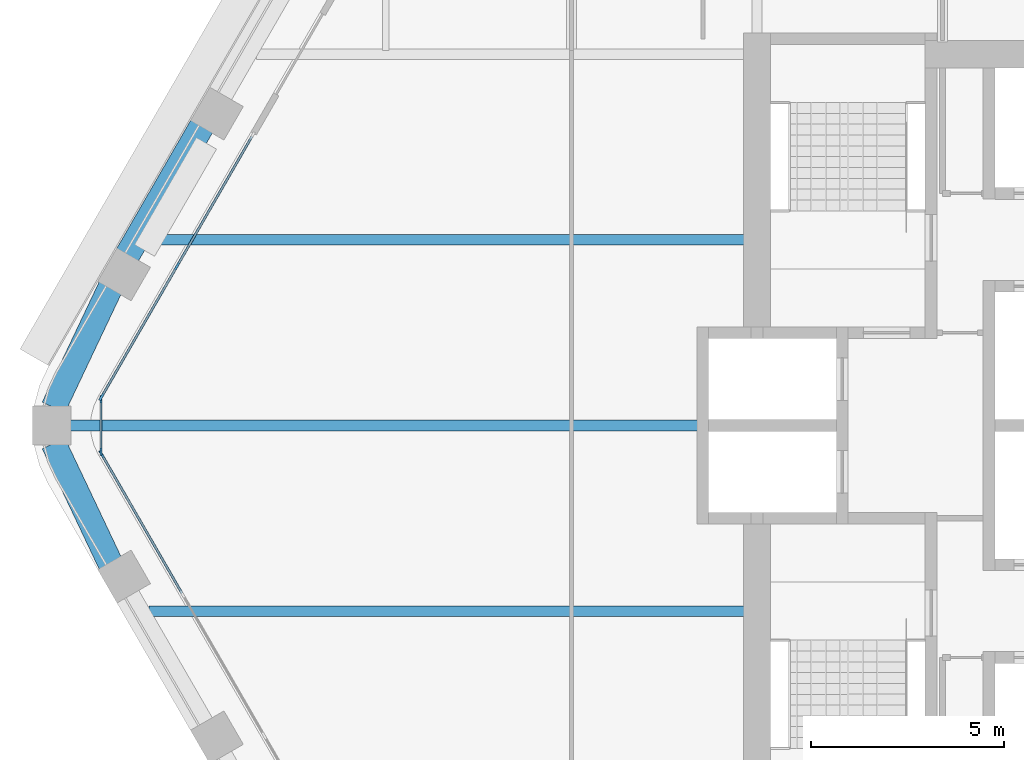
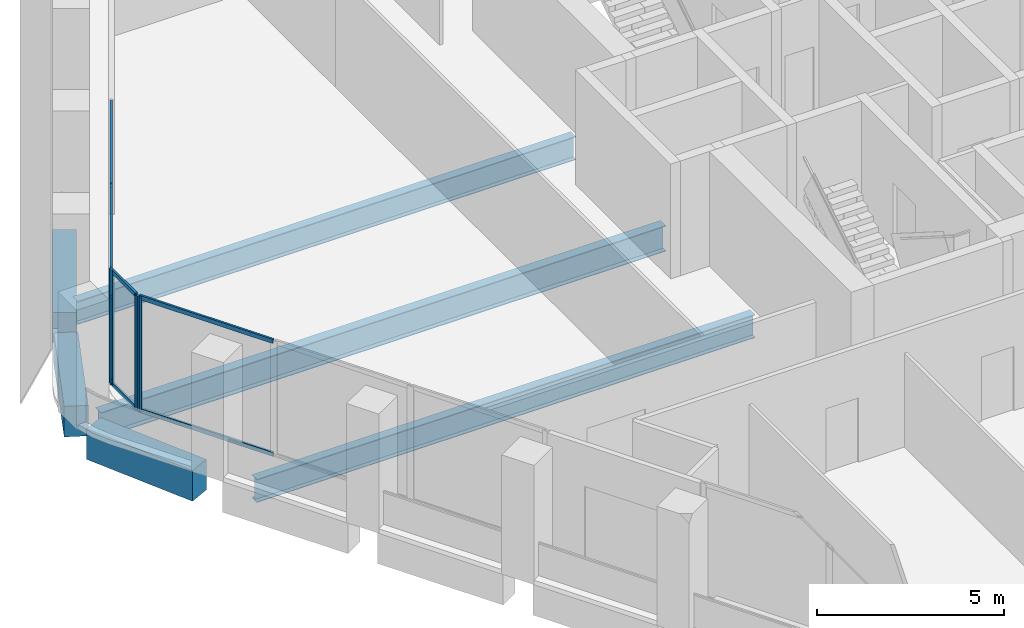
# One storey, part 3 of 15: 13 members, 6 beams, 3 elements without a shape of their own.
"""IFC4 building model written with IfcOpenShell, lengths in metres."""

from ifc_helpers import new_model, si_unit, direction, frame, origin, origin_2d, place, context, subcontext, project, spatial, rectangle, i_section, extrude, material, material_profile, profile_set, type_object, element, aggregate, save


model = new_model("IFC4")

# Units and contexts
model_context = context("Model", 3, precision=1e-05, world=origin(), true_north=direction((0.0, 1.0)))
body_context = subcontext(model_context, "Body", "Model", "MODEL_VIEW")
ifc_project = project(units=[si_unit("LENGTHUNIT", "METRE"), si_unit("AREAUNIT", "SQUARE_METRE"), si_unit("VOLUMEUNIT", "CUBIC_METRE"), si_unit("PLANEANGLEUNIT", "RADIAN"), si_unit("MASSUNIT", "GRAM", prefix="KILO")], contexts=[model_context])

# Site, building, storey
site_placement = place(None, origin())
site = spatial("IfcSite", under=ifc_project, at=site_placement, CompositionType="ELEMENT")
building_placement = place(site_placement, origin())
building = spatial("IfcBuilding", under=site, at=building_placement, Name="Kolab Exchange Tower", CompositionType="ELEMENT")
storey_placement = place(building_placement, frame((0.0, 0.0, 185.60009765625)))
storey = spatial("IfcBuildingStorey", under=building, at=storey_placement, Name="L39", CompositionType="ELEMENT", Elevation=185.60009765625)

# Beams
ifc_material_1 = material(Name="Steel S355", Category="steel")
ifc_material_profile_1 = material_profile(ifc_material_1, i_section(OverallWidth=0.26708984375, OverallDepth=0.761962890625, WebThickness=0.014404296875, FlangeThickness=0.021484375, at=origin_2d()), Name="W760X173")
ifc_profile_set_1 = profile_set([ifc_material_profile_1], Name="Steel S355")
beam_type_1 = type_object("IfcBeamType", Name="FLOOR BEAM W760X173", PredefinedType="BEAM", material=ifc_profile_set_1)
for number, where, z_axis, x_axis, name in (
    (1, (-25.318115234375, -4.800048828125, -0.531005859375), (1.0, 0.0, 0.0), (0.0, 1.0, 0.0), "beam/L39/fr/001"),
    (2, (-25.318115234375, 4.800048828125, -0.531005859375), (1.0, 0.0, 0.0), (0.0, 1.0, 0.0), "beam/L39/fr/002"),
):
    element("IfcBeam", number, at=place(storey_placement, frame(where, z_axis=z_axis, x_axis=x_axis)), inside=storey, type_object=beam_type_1, Name=name, PredefinedType="BEAM", context=body_context, shape_type="SweptSolid", body=[
        extrude(i_section(OverallWidth=0.26708984375, OverallDepth=0.761962890625, WebThickness=0.014404296875, FlangeThickness=0.021484375, at=origin_2d()), origin(), (0.0, 0.0, 1.0), 15.408203125),
    ])
ifc_material_profile_2 = material_profile(ifc_material_1, i_section(OverallWidth=0.2919921875, OverallDepth=0.840087890625, WebThickness=0.0146484375, FlangeThickness=0.021728515625, at=origin_2d()), Name="W840X193")
ifc_profile_set_2 = profile_set([ifc_material_profile_2], Name="Steel S355")
beam_type_2 = type_object("IfcBeamType", Name="FLOOR BEAM W840X193", PredefinedType="BEAM", material=ifc_profile_set_2)
beam_1_placement = place(storey_placement, frame((-27.3759765625, 0.0, -0.570068359375), z_axis=(1.0, 0.0, 0.0), x_axis=(0.0, 1.0, 0.0)))
element("IfcBeam", 3, at=beam_1_placement, inside=storey, type_object=beam_type_2, Name="beam/L39/fr/000", PredefinedType="BEAM", context=body_context, shape_type="SweptSolid", body=[
    extrude(i_section(OverallWidth=0.2919921875, OverallDepth=0.840087890625, WebThickness=0.0146484375, FlangeThickness=0.021728515625, at=origin_2d()), origin(), (0.0, 0.0, 1.0), 17.466064453125),
])
ifc_material_2 = material(Name="Concrete C60/75", Category="concrete")
ifc_material_profile_3 = material_profile(ifc_material_2, rectangle(XDim=0.64990234375, YDim=1.0, at=origin_2d()), Name="RC650X1000")
ifc_profile_set_3 = profile_set([ifc_material_profile_3], Name="Concrete C60/75")
beam_type_3 = type_object("IfcBeamType", Name="SPANDREL BEAM 650X1000 C60/75", PredefinedType="BEAM", material=ifc_profile_set_3)
for number, where, z_axis, x_axis, name in (
    (4, (-26.316162109375, -3.5771484375, -0.650146484375), (-0.428177731975, 0.903694544545, 0.0), (-0.903694544545, -0.428177731975, 0.0), "beam/L39/sp/F5-06"),
    (5, (-27.791259765625, 0.4638671875, -0.650146484375), (0.428177731975, 0.903694544545, 0.0), (-0.903694544545, 0.428177731975, 0.0), "beam/L39/sp/F6-01"),
):
    element("IfcBeam", number, at=place(storey_placement, frame(where, z_axis=z_axis, x_axis=x_axis)), inside=storey, type_object=beam_type_3, Name=name, PredefinedType="BEAM", context=body_context, shape_type="SweptSolid", body=[
        extrude(rectangle(XDim=0.64990234375, YDim=1.0, at=origin_2d()), origin(), (0.0, 0.0, 1.0), 3.445068359375),
    ])
beam_2_placement = place(storey_placement, frame((-25.888427734375, 4.392822265625, -0.650146484375), z_axis=(0.499996613652, 0.866027358884, 0.0), x_axis=(-0.866027358884, 0.499996613652, 0.0)))
element("IfcBeam", 6, at=beam_2_placement, inside=storey, type_object=beam_type_3, Name="beam/L39/sp/F6-02", PredefinedType="BEAM", context=body_context, shape_type="SweptSolid", body=[
    extrude(rectangle(XDim=0.64990234375, YDim=1.0, at=origin_2d()), origin(), (0.0, 0.0, 1.0), 3.8798828125),
])

# Curtain wall, member
ifc_material_3 = material(Name="Aluminium EN AW-6063 T6", Category="aluminium")
curtain_wall_type = type_object("IfcCurtainWallType", Name="UNITISED UPPER MID ZONE CURTAIN WALL", PredefinedType="NOTDEFINED", material=ifc_material_3)
curtain_wall_1_placement = place(storey_placement, origin())
curtain_wall_1 = element("IfcCurtainWall", 7, at=curtain_wall_1_placement, inside=storey, type_object=curtain_wall_type, Name="cw/L39/F5-2", PredefinedType="NOTDEFINED")
ifc_material_profile_4 = material_profile(ifc_material_3, rectangle(XDim=0.06005859375, YDim=0.199951171875, at=origin_2d()), Name="RECT 60X200")
ifc_profile_set_4 = profile_set([ifc_material_profile_4], Name="Aluminium EN AW-6063 T6")
member_type_1 = type_object("IfcMemberType", Name="UNITISED UPPER MID ZONE MULLION 60 X 200", PredefinedType="MULLION", material=ifc_profile_set_4)
member_1_placement = place(storey_placement, frame((-26.550537109375, -0.736083984375, 0.0), z_axis=(0.0, 0.0, 1.0), x_axis=(-0.866025427826, -0.499999958358, 0.0)))
member_1 = element("IfcMember", 8, at=member_1_placement, type_object=member_type_1, Name="CW3 mullion 4", PredefinedType="MULLION", context=body_context, shape_type="SweptSolid", body=[
    extrude(rectangle(XDim=0.06005859375, YDim=0.199951171875, at=origin_2d()), origin(), (0.0, 0.0, 1.0), 3.75),
])

# Curtain wall, members
curtain_wall_2_placement = place(storey_placement, origin())
curtain_wall_2 = element("IfcCurtainWall", 9, at=curtain_wall_2_placement, inside=storey, type_object=curtain_wall_type, Name="cw/L39/F6-1", PredefinedType="NOTDEFINED")
member_2_placement = place(storey_placement, frame((-26.550537109375, 0.736083984375, 0.0), z_axis=(0.0, 0.0, 1.0), x_axis=(-0.866025440524, 0.499999936366, 0.0)))
member_2 = element("IfcMember", 10, at=member_2_placement, type_object=member_type_1, Name="CW3 mullion 1", PredefinedType="MULLION", context=body_context, shape_type="SweptSolid", body=[
    extrude(rectangle(XDim=0.06005859375, YDim=0.199951171875, at=origin_2d()), origin(), (0.0, 0.0, 1.0), 3.75),
])
member_3_placement = place(storey_placement, frame((-24.5986328125, 4.116943359375, 0.0), z_axis=(0.0, 0.0, 1.0), x_axis=(-0.866025440524, 0.499999936366, 0.0)))
member_3 = element("IfcMember", 11, at=member_3_placement, type_object=member_type_1, Name="CW3 mullion 2", PredefinedType="MULLION", context=body_context, shape_type="SweptSolid", body=[
    extrude(rectangle(XDim=0.06005859375, YDim=0.199951171875, at=origin_2d()), origin(), (0.0, 0.0, 1.0), 3.75),
])

curtain_wall_3_placement = place(storey_placement, origin())
curtain_wall_3 = element("IfcCurtainWall", 12, at=curtain_wall_3_placement, inside=storey, type_object=curtain_wall_type, Name="cw/L39/F5F6-corner", PredefinedType="NOTDEFINED")
member_4_placement = place(storey_placement, frame((-26.565673828125, -0.679931640625, 0.0), z_axis=(0.0, 0.0, 1.0), x_axis=(-1.0, 0.0, 0.0)))
member_4 = element("IfcMember", 13, at=member_4_placement, type_object=member_type_1, Name="CW3 mullion 1", PredefinedType="MULLION", context=body_context, shape_type="SweptSolid", body=[
    extrude(rectangle(XDim=0.06005859375, YDim=0.199951171875, at=origin_2d()), origin(), (0.0, 0.0, 1.0), 3.75),
])
member_5_placement = place(storey_placement, frame((-26.565673828125, 0.679931640625, 0.0), z_axis=(0.0, 0.0, 1.0), x_axis=(-1.0, 0.0, 0.0)))
member_5 = element("IfcMember", 14, at=member_5_placement, type_object=member_type_1, Name="CW3 mullion 2", PredefinedType="MULLION", context=body_context, shape_type="SweptSolid", body=[
    extrude(rectangle(XDim=0.06005859375, YDim=0.199951171875, at=origin_2d()), origin(), (0.0, 0.0, 1.0), 3.75),
])

# Member
ifc_material_profile_5 = material_profile(ifc_material_3, rectangle(XDim=0.06005859375, YDim=0.139892578125, at=origin_2d()), Name="RECT 60X140")
ifc_profile_set_5 = profile_set([ifc_material_profile_5], Name="Aluminium EN AW-6063 T6")
member_type_2 = type_object("IfcMemberType", Name="UNITISED UPPER MID ZONE TRANSOM 60 X 140", PredefinedType="USERDEFINED", material=ifc_profile_set_5)
member_6_placement = place(storey_placement, frame((-24.46923828125, -4.3408203125, 0.02978515625), z_axis=(-0.500027577057, 0.866009481578, 0.0), x_axis=(-0.866009481578, -0.500027577057, 0.0)))
member_6 = element("IfcMember", 15, at=member_6_placement, type_object=member_type_2, Name="CW3 transom 3.1", ObjectType="TRANSOM", PredefinedType="USERDEFINED", context=body_context, shape_type="SweptSolid", body=[
    extrude(rectangle(XDim=0.06005859375, YDim=0.139892578125, at=origin_2d()), origin(), (0.0, 0.0, 1.0), 4.132568359375),
])

member_7_placement = place(storey_placement, frame((-24.46923828125, -4.3408203125, 3.719970703125), z_axis=(-0.500027577057, 0.866009481578, 0.0), x_axis=(-0.866009481578, -0.500027577057, 0.0)))
member_7 = element("IfcMember", 16, at=member_7_placement, type_object=member_type_2, Name="CW3 transom 3.2", ObjectType="TRANSOM", PredefinedType="USERDEFINED", context=body_context, shape_type="SweptSolid", body=[
    extrude(rectangle(XDim=0.06005859375, YDim=0.139892578125, at=origin_2d()), origin(), (0.0, 0.0, 1.0), 4.132568359375),
])

aggregate(curtain_wall_1, [member_1, member_6, member_7])

member_8_placement = place(storey_placement, frame((-26.53564453125, 0.761962890625, 0.02978515625), z_axis=(0.499991857942, 0.866030104553, 0.0), x_axis=(-0.866030104553, 0.499991857942, 0.0)))
member_8 = element("IfcMember", 17, at=member_8_placement, type_object=member_type_2, Name="CW3 transom 1.1", ObjectType="TRANSOM", PredefinedType="USERDEFINED", context=body_context, shape_type="SweptSolid", body=[
    extrude(rectangle(XDim=0.06005859375, YDim=0.139892578125, at=origin_2d()), origin(), (0.0, 0.0, 1.0), 3.84375),
])

member_9_placement = place(storey_placement, frame((-26.53564453125, 0.761962890625, 3.719970703125), z_axis=(0.499991857942, 0.866030104553, 0.0), x_axis=(-0.866030104553, 0.499991857942, 0.0)))
member_9 = element("IfcMember", 18, at=member_9_placement, type_object=member_type_2, Name="CW3 transom 1.2", ObjectType="TRANSOM", PredefinedType="USERDEFINED", context=body_context, shape_type="SweptSolid", body=[
    extrude(rectangle(XDim=0.06005859375, YDim=0.139892578125, at=origin_2d()), origin(), (0.0, 0.0, 1.0), 3.84375),
])

member_10_placement = place(storey_placement, frame((-24.583740234375, 4.142822265625, 0.02978515625), z_axis=(0.500011990396, 0.866018481016, 0.0), x_axis=(-0.866018481016, 0.500011990396, 0.0)))
member_10 = element("IfcMember", 19, at=member_10_placement, type_object=member_type_2, Name="CW3 transom 2.1", ObjectType="TRANSOM", PredefinedType="USERDEFINED", context=body_context, shape_type="SweptSolid", body=[
    extrude(rectangle(XDim=0.06005859375, YDim=0.139892578125, at=origin_2d()), origin(), (0.0, 0.0, 1.0), 3.84423828125),
])

member_11_placement = place(storey_placement, frame((-24.583740234375, 4.142822265625, 3.719970703125), z_axis=(0.500011990396, 0.866018481016, 0.0), x_axis=(-0.866018481016, 0.500011990396, 0.0)))
member_11 = element("IfcMember", 20, at=member_11_placement, type_object=member_type_2, Name="CW3 transom 2.2", ObjectType="TRANSOM", PredefinedType="USERDEFINED", context=body_context, shape_type="SweptSolid", body=[
    extrude(rectangle(XDim=0.06005859375, YDim=0.139892578125, at=origin_2d()), origin(), (0.0, 0.0, 1.0), 3.84423828125),
])

aggregate(curtain_wall_2, [member_2, member_3, member_8, member_9, member_10, member_11])

member_12_placement = place(storey_placement, frame((-26.565673828125, -0.64990234375, 0.02978515625), z_axis=(0.0, 1.0, 0.0), x_axis=(-1.0, 0.0, 0.0)))
member_12 = element("IfcMember", 21, at=member_12_placement, type_object=member_type_2, Name="CW3 transom 1.1", ObjectType="TRANSOM", PredefinedType="USERDEFINED", context=body_context, shape_type="SweptSolid", body=[
    extrude(rectangle(XDim=0.06005859375, YDim=0.139892578125, at=origin_2d()), origin(), (0.0, 0.0, 1.0), 1.2998046875),
])

member_13_placement = place(storey_placement, frame((-26.565673828125, -0.64990234375, 3.719970703125), z_axis=(0.0, 1.0, 0.0), x_axis=(-1.0, 0.0, 0.0)))
member_13 = element("IfcMember", 22, at=member_13_placement, type_object=member_type_2, Name="CW3 transom 1.2", ObjectType="TRANSOM", PredefinedType="USERDEFINED", context=body_context, shape_type="SweptSolid", body=[
    extrude(rectangle(XDim=0.06005859375, YDim=0.139892578125, at=origin_2d()), origin(), (0.0, 0.0, 1.0), 1.2998046875),
])

aggregate(curtain_wall_3, [member_4, member_5, member_12, member_13])

save(model, "model.ifc")
